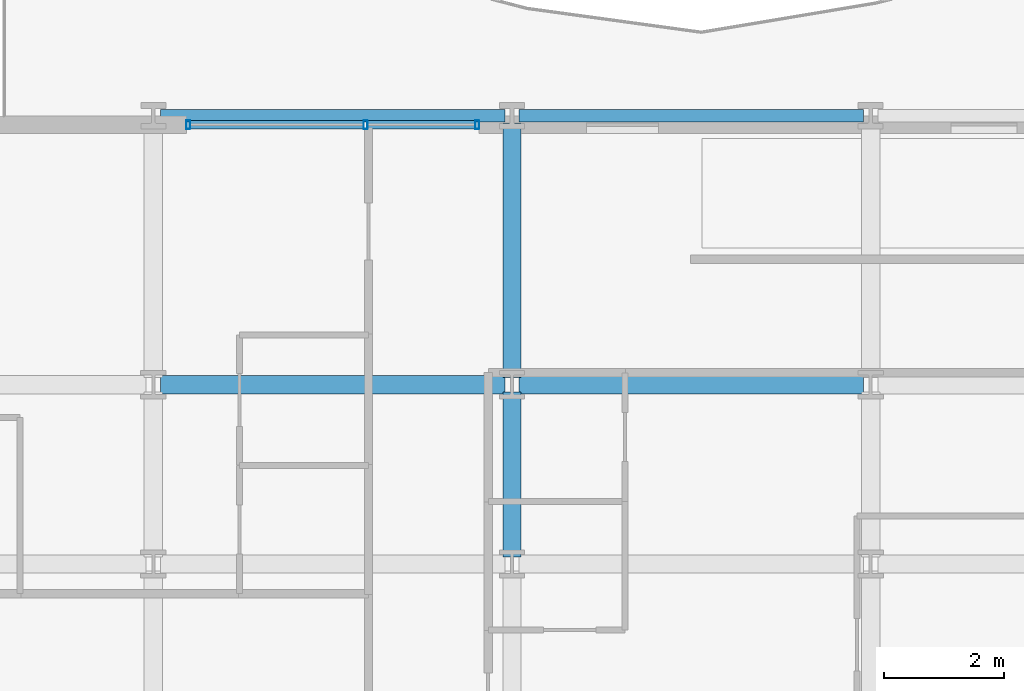
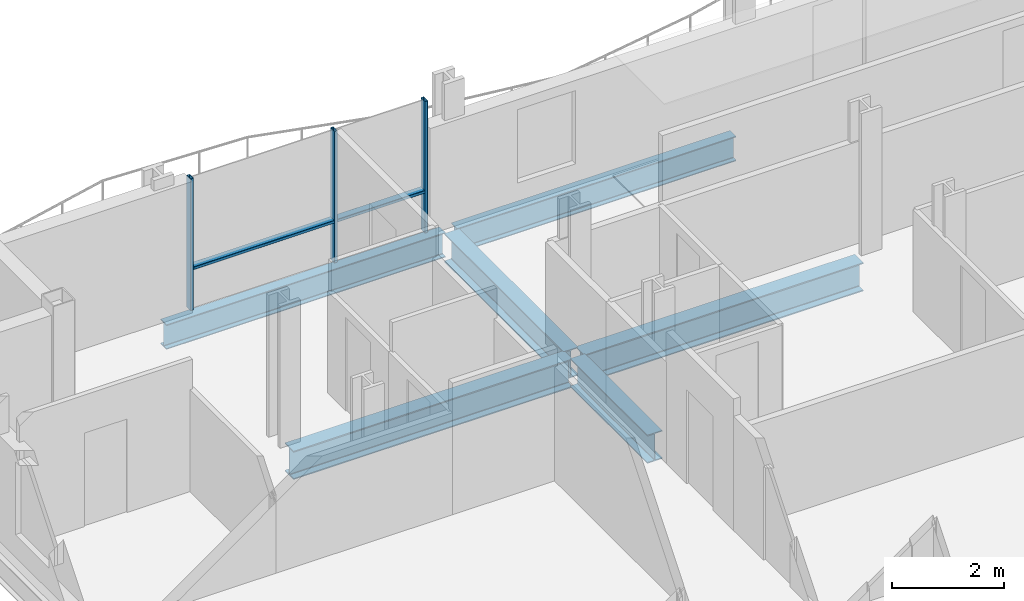
# One storey, part 7 of 38: 6 beams, 5 members, 1 element without a shape of its own.
"""IFC4 building model written with IfcOpenShell, lengths in metres."""

from ifc_helpers import new_model, si_unit, direction, frame, origin, origin_2d, place, context, subcontext, project, spatial, hollow_rectangle, i_section, extrude, material, layer, layer_set, material_profile, profile_set, type_object, element, aggregate, save


model = new_model("IFC4")

# Units and contexts
model_context = context("Model", 3, precision=1e-05, world=origin(), true_north=direction((0.0, 1.0)))
body_context = subcontext(model_context, "Body", "Model", "MODEL_VIEW")
ifc_project = project(units=[si_unit("LENGTHUNIT", "METRE"), si_unit("AREAUNIT", "SQUARE_METRE"), si_unit("VOLUMEUNIT", "CUBIC_METRE"), si_unit("PLANEANGLEUNIT", "RADIAN"), si_unit("MASSUNIT", "GRAM", prefix="KILO")], contexts=[model_context])

# Site, building, storey
site_placement = place(None, origin())
site = spatial("IfcSite", under=ifc_project, at=site_placement, CompositionType="ELEMENT")
building_placement = place(site_placement, origin())
building = spatial("IfcBuilding", under=site, at=building_placement, Name="Brevholm Reach", CompositionType="ELEMENT")
storey_placement = place(building_placement, frame((0.0, 0.0, 46.60009765625)))
storey = spatial("IfcBuildingStorey", under=building, at=storey_placement, Name="L12", CompositionType="ELEMENT", Elevation=46.60009765625)

# Beams
ifc_material_1 = material(Name="Structural Steel S355J2", Category="steel")
ifc_material_profile_1 = material_profile(ifc_material_1, i_section(OverallWidth=0.210693359375, OverallDepth=0.53955078125, WebThickness=0.01171875, FlangeThickness=0.018798828125, FilletRadius=0.0126953125, at=origin_2d()), Name="UKB 533x210x109")
ifc_profile_set_1 = profile_set([ifc_material_profile_1], Name="Structural Steel S355J2")
beam_type_1 = type_object("IfcBeamType", Name="BM-SP539", PredefinedType="SPANDREL", material=ifc_profile_set_1)
for number, where, z_axis, x_axis, name in (
    (1, (6.1201171875, 31.0, -0.499755859375), (1.0, 0.0, 0.0), (0.0, 1.0, 0.0), "L12 SP-01B Framing Beam"),
    (2, (12.1201171875, 31.0, -0.499755859375), (1.0, 0.0, 0.0), (0.0, 1.0, 0.0), "L12 SP-01B Framing Beam"),
):
    element("IfcBeam", number, at=place(storey_placement, frame(where, z_axis=z_axis, x_axis=x_axis)), inside=storey, type_object=beam_type_1, Name=name, PredefinedType="SPANDREL", context=body_context, shape_type="SweptSolid", body=[
        extrude(i_section(OverallWidth=0.210693359375, OverallDepth=0.53955078125, WebThickness=0.01171875, FlangeThickness=0.018798828125, FilletRadius=0.0126953125, at=origin_2d()), origin(), (0.0, 0.0, 1.0), 5.759765625),
    ])
ifc_material_2 = material(Name="Structural Steel S355J2", Category="steel")
ifc_material_profile_2 = material_profile(ifc_material_2, i_section(OverallWidth=0.30712890625, OverallDepth=0.6201171875, WebThickness=0.01416015625, FlangeThickness=0.023681640625, FilletRadius=0.0166015625, at=origin_2d()), Name="UKB 610x305x179")
ifc_profile_set_2 = profile_set([ifc_material_profile_2], Name="Structural Steel S355J2")
beam_type_2 = type_object("IfcBeamType", Name="BM-UKB610H", PredefinedType="USERDEFINED", material=ifc_profile_set_2)
for number, where, z_axis, x_axis, name in (
    (3, (6.1201171875, 26.5, -0.540283203125), (1.0, 0.0, 0.0), (0.0, 1.0, 0.0), "L12 G-06 Framing Beam"),
    (4, (12.1201171875, 26.5, -0.540283203125), (1.0, 0.0, 0.0), (0.0, 1.0, 0.0), "L12 G-06 Framing Beam"),
):
    element("IfcBeam", number, at=place(storey_placement, frame(where, z_axis=z_axis, x_axis=x_axis)), inside=storey, type_object=beam_type_2, Name=name, ObjectType="GIRDER", PredefinedType="USERDEFINED", context=body_context, shape_type="SweptSolid", body=[
        extrude(i_section(OverallWidth=0.30712890625, OverallDepth=0.6201171875, WebThickness=0.01416015625, FlangeThickness=0.023681640625, FilletRadius=0.0166015625, at=origin_2d()), origin(), (0.0, 0.0, 1.0), 5.759765625),
    ])
beam_1_placement = place(storey_placement, frame((12.0, 23.6201171875, -0.540283203125), z_axis=(0.0, 1.0, 0.0), x_axis=(-1.0, 0.0, 0.0)))
element("IfcBeam", 5, at=beam_1_placement, inside=storey, type_object=beam_type_2, Name="L12 G-06 Framing Beam", ObjectType="GIRDER", PredefinedType="USERDEFINED", context=body_context, shape_type="SweptSolid", body=[
    extrude(i_section(OverallWidth=0.30712890625, OverallDepth=0.6201171875, WebThickness=0.01416015625, FlangeThickness=0.023681640625, FilletRadius=0.0166015625, at=origin_2d()), origin(), (0.0, 0.0, 1.0), 2.759765625),
])
beam_2_placement = place(storey_placement, frame((12.0, 26.6201171875, -0.540283203125), z_axis=(0.0, 1.0, 0.0), x_axis=(-1.0, 0.0, 0.0)))
element("IfcBeam", 6, at=beam_2_placement, inside=storey, type_object=beam_type_2, Name="L12 G-06 Framing Beam", ObjectType="GIRDER", PredefinedType="USERDEFINED", context=body_context, shape_type="SweptSolid", body=[
    extrude(i_section(OverallWidth=0.30712890625, OverallDepth=0.6201171875, WebThickness=0.01416015625, FlangeThickness=0.023681640625, FilletRadius=0.0166015625, at=origin_2d()), origin(), (0.0, 0.0, 1.0), 4.259765625),
])

# Curtain wall, members
ifc_material_3 = material(Name="Dark Anodised Aluminium 6063-T6 and Solar-Control Glass", Category="aluminium")
ifc_layer = layer(ifc_material_3, 0.14990234375)
ifc_layer_set = layer_set([ifc_layer], Name="Dark Anodised Aluminium 6063-T6 and Solar-Control Glass")
curtain_wall_type = type_object("IfcCurtainWallType", Name="CW-01", PredefinedType="NOTDEFINED", material=ifc_layer_set)
curtain_wall_placement = place(storey_placement, origin())
curtain_wall = element("IfcCurtainWall", 7, at=curtain_wall_placement, inside=storey, type_object=curtain_wall_type, Name="L12 Curtain Wall CW-01", PredefinedType="NOTDEFINED")
ifc_material_4 = material(Name="Dark Anodised Aluminium 6063-T6", Category="aluminium")
ifc_material_profile_3 = material_profile(ifc_material_4, hollow_rectangle(XDim=0.06494140625, YDim=0.14990234375, WallThickness=0.0048828125, InnerFilletRadius=0.0048828125, OuterFilletRadius=0.010009765625, at=origin_2d()), Name="RHS 150x65x5")
ifc_profile_set_3 = profile_set([ifc_material_profile_3], Name="Dark Anodised Aluminium 6063-T6")
member_type_1 = type_object("IfcMemberType", Name="CWM-150", PredefinedType="MULLION", material=ifc_profile_set_3)
member_1_placement = place(storey_placement, frame((6.58251953125, 30.85009765625, 0.0), z_axis=(0.0, 0.0, 1.0), x_axis=(1.0, 0.0, 0.0)))
member_1 = element("IfcMember", 8, at=member_1_placement, type_object=member_type_1, Name="CM-150 Mullion 1", PredefinedType="MULLION", context=body_context, shape_type="SweptSolid", body=[
    extrude(hollow_rectangle(XDim=0.06494140625, YDim=0.14990234375, WallThickness=0.0048828125, InnerFilletRadius=0.0048828125, OuterFilletRadius=0.010009765625, at=origin_2d()), origin(), (0.0, 0.0, 1.0), 2.869873046875),
])
member_2_placement = place(storey_placement, frame((9.550048828125, 30.85009765625, 0.0), z_axis=(0.0, 0.0, 1.0), x_axis=(1.0, 0.0, 0.0)))
member_2 = element("IfcMember", 9, at=member_2_placement, type_object=member_type_1, Name="CM-150 Mullion 2", PredefinedType="MULLION", context=body_context, shape_type="SweptSolid", body=[
    extrude(hollow_rectangle(XDim=0.06494140625, YDim=0.14990234375, WallThickness=0.0048828125, InnerFilletRadius=0.0048828125, OuterFilletRadius=0.010009765625, at=origin_2d()), origin(), (0.0, 0.0, 1.0), 2.869873046875),
])
member_3_placement = place(storey_placement, frame((11.41748046875, 30.85009765625, 0.0), z_axis=(0.0, 0.0, 1.0), x_axis=(1.0, 0.0, 0.0)))
member_3 = element("IfcMember", 10, at=member_3_placement, type_object=member_type_1, Name="CM-150 Mullion 3", PredefinedType="MULLION", context=body_context, shape_type="SweptSolid", body=[
    extrude(hollow_rectangle(XDim=0.06494140625, YDim=0.14990234375, WallThickness=0.0048828125, InnerFilletRadius=0.0048828125, OuterFilletRadius=0.010009765625, at=origin_2d()), origin(), (0.0, 0.0, 1.0), 2.869873046875),
])
ifc_material_5 = material(Name="Dark Anodised Aluminium 6063-T6", Category="aluminium")
ifc_material_profile_4 = material_profile(ifc_material_5, hollow_rectangle(XDim=0.06494140625, YDim=0.14990234375, WallThickness=0.0048828125, InnerFilletRadius=0.0048828125, OuterFilletRadius=0.010009765625, at=origin_2d()), Name="RHS 150x65x5")
ifc_profile_set_4 = profile_set([ifc_material_profile_4], Name="Dark Anodised Aluminium 6063-T6")
member_type_2 = type_object("IfcMemberType", Name="CWT-150", PredefinedType="NOTDEFINED", material=ifc_profile_set_4)
member_4_placement = place(storey_placement, frame((6.614990234375, 30.85009765625, 0.89990234375), z_axis=(1.0, 0.0, 0.0), x_axis=(0.0, 0.0, 1.0)))
member_4 = element("IfcMember", 11, at=member_4_placement, type_object=member_type_2, Name="CT-150 Transom 1.1", ObjectType="TRANSOM", PredefinedType="USERDEFINED", context=body_context, shape_type="SweptSolid", body=[
    extrude(hollow_rectangle(XDim=0.06494140625, YDim=0.14990234375, WallThickness=0.0048828125, InnerFilletRadius=0.0048828125, OuterFilletRadius=0.010009765625, at=origin_2d()), origin(), (0.0, 0.0, 1.0), 2.902587890625),
])
member_5_placement = place(storey_placement, frame((9.58251953125, 30.85009765625, 0.89990234375), z_axis=(1.0, 0.0, 0.0), x_axis=(0.0, 0.0, 1.0)))
member_5 = element("IfcMember", 12, at=member_5_placement, type_object=member_type_2, Name="CT-150 Transom 2.1", ObjectType="TRANSOM", PredefinedType="USERDEFINED", context=body_context, shape_type="SweptSolid", body=[
    extrude(hollow_rectangle(XDim=0.06494140625, YDim=0.14990234375, WallThickness=0.0048828125, InnerFilletRadius=0.0048828125, OuterFilletRadius=0.010009765625, at=origin_2d()), origin(), (0.0, 0.0, 1.0), 1.802490234375),
])
aggregate(curtain_wall, [member_1, member_2, member_3, member_4, member_5])

save(model, "model.ifc")
